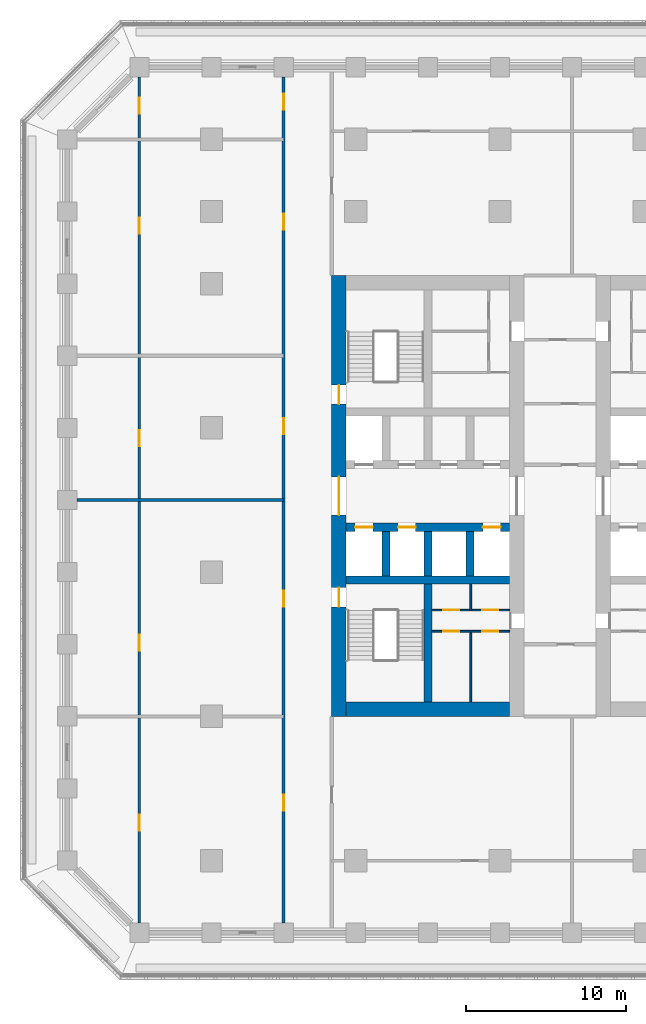
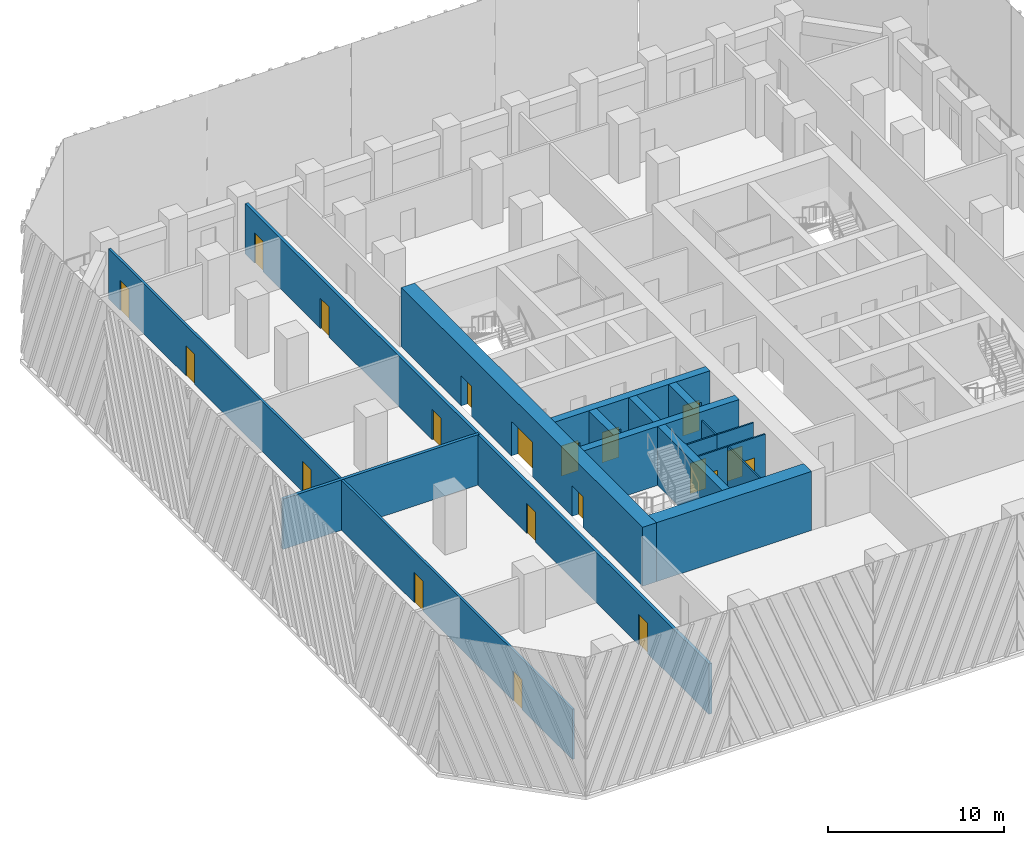
# One storey, part 3 of 17: 20 doors, 17 walls, 20 openings.
"""IFC4 building model written with IfcOpenShell, lengths in metres."""

import ifcopenshell
import ifcopenshell.guid

model = None  # the IFC model being written
_history = None  # IfcOwnerHistory: only IFC2X3 demands one
_inside = {}  # id of a spatial element -> (the spatial element, [elements in it])
_under = {}  # id of a project, library or spatial element -> (it, [spatial elements below it])
_declared = {}  # id of a project -> (the project, [libraries it declares])
_typed = {}  # id of a type object -> (the type object, [elements of that type])
_made_of = {}  # id of a material, layer set ... -> (it, [elements and type objects made of it])


def new_model(schema):
    """Start an empty IFC model of exactly this schema.

    Asked for "IFC4X3", IfcOpenShell would pick the latest addendum, in which some entities
    have other attributes; the version numbers below select the first issue.
    IFC2X3 requires an IfcOwnerHistory on every rooted entity: one is made here for all.
    """
    global model, _history
    if schema == "IFC4X3":
        model = ifcopenshell.file(schema_version=(4, 3, 0, 0))
    else:
        model = ifcopenshell.file(schema=schema)
    _inside.clear()
    _under.clear()
    _declared.clear()
    _typed.clear()
    _made_of.clear()
    _history = None
    if model.schema == "IFC2X3":
        org = make("IfcOrganization", Name="unknown")
        user = make(
            "IfcPersonAndOrganization",
            ThePerson=make("IfcPerson", FamilyName="unknown"),
            TheOrganization=org,
        )
        app = make(
            "IfcApplication",
            ApplicationDeveloper=org,
            Version="unknown",
            ApplicationFullName="unknown",
            ApplicationIdentifier="unknown",
        )
        _history = make(
            "IfcOwnerHistory",
            OwningUser=user,
            OwningApplication=app,
            ChangeAction="ADDED",
            CreationDate=0,
        )
    return model


def make(cls, **values):
    """One entity of the class cls with the attributes given. An attribute that is None is left unset."""
    return model.create_entity(
        cls, **{name: value for name, value in values.items() if value is not None}
    )


def rooted(cls, **values):
    """An entity with a GlobalId (a new one), such as an element, a storey or a relation."""
    return make(cls, GlobalId=ifcopenshell.guid.new(), OwnerHistory=_history, **values)


def si_unit(unit_type, name, prefix=None):
    """IfcSIUnit, for example si_unit("LENGTHUNIT", "METRE", prefix="MILLI")."""
    return make("IfcSIUnit", UnitType=unit_type, Prefix=prefix, Name=name)


def assignment(units):
    """IfcUnitAssignment: the units of a project."""
    return None if units is None else make("IfcUnitAssignment", Units=units)


def point(xyz):
    """IfcCartesianPoint."""
    return None if xyz is None else make("IfcCartesianPoint", Coordinates=xyz)


def direction(xyz):
    """IfcDirection."""
    return None if xyz is None else make("IfcDirection", DirectionRatios=xyz)


def frame(location, z_axis=None, x_axis=None):
    """IfcAxis2Placement3D, a coordinate frame: its origin and axes. An axis left out is left unset."""
    return make(
        "IfcAxis2Placement3D",
        Location=point(location),
        Axis=direction(z_axis),
        RefDirection=direction(x_axis),
    )


def frame_2d(location, x_axis=None):
    """IfcAxis2Placement2D, a coordinate frame in the plane: its origin and x axis."""
    return make(
        "IfcAxis2Placement2D", Location=point(location), RefDirection=direction(x_axis)
    )


def origin():
    """The frame at (0, 0, 0) with its axes left unset."""
    return frame((0.0, 0.0, 0.0))


def place(relative_to, where):
    """IfcLocalPlacement: puts the frame where relative to a parent placement (None: the world)."""
    return make(
        "IfcLocalPlacement", PlacementRelTo=relative_to, RelativePlacement=where
    )


def context(
    kind, dimensions, precision=None, world=None, true_north=None, identifier=None
):
    """IfcGeometricRepresentationContext, for example the 3D "Model" context."""
    return make(
        "IfcGeometricRepresentationContext",
        ContextIdentifier=identifier,
        ContextType=kind,
        CoordinateSpaceDimension=dimensions,
        Precision=precision,
        WorldCoordinateSystem=world,
        TrueNorth=true_north,
    )


def subcontext(parent, identifier, kind, view, scale=None):
    """IfcGeometricRepresentationSubContext, for example "Body" below "Model"."""
    return make(
        "IfcGeometricRepresentationSubContext",
        ContextIdentifier=identifier,
        ContextType=kind,
        ParentContext=parent,
        TargetScale=scale,
        TargetView=view,
    )


def project(units=None, contexts=None):
    """IfcProject with its units and contexts."""
    return rooted(
        "IfcProject",
        Name="project",
        RepresentationContexts=contexts,
        UnitsInContext=assignment(units),
    )


def spatial(cls, under=None, at=None, **own):
    """A site, building, storey or space (cls), placed at a placement, below another one or the project."""
    s = rooted(cls, ObjectPlacement=at, **own)
    if under is not None:
        _under.setdefault(under.id(), (under, []))[1].append(s)
    return s


def profile(cls, at=None, kind="AREA", **sizes):
    """A parametric profile (cls). Its sizes go by their IFC names, for example OverallWidth=200.0."""
    return make(cls, ProfileType=kind, Position=at, **sizes)


def rectangle(**sizes):
    """IfcRectangleProfileDef."""
    return profile("IfcRectangleProfileDef", **sizes)


def extrude(swept, where, along, depth):
    """IfcExtrudedAreaSolid: the profile swept, set in the frame where, extruded along a direction by depth."""
    return make(
        "IfcExtrudedAreaSolid",
        SweptArea=swept,
        Position=where,
        ExtrudedDirection=direction(along),
        Depth=depth,
    )


def shape(context_of_items, identifier, shape_type, items):
    """IfcShapeRepresentation: the items that make up one representation, for example the "Body"."""
    return make(
        "IfcShapeRepresentation",
        ContextOfItems=context_of_items,
        RepresentationIdentifier=identifier,
        RepresentationType=shape_type,
        Items=items,
    )


def material(Name=None, Category=None):
    """IfcMaterial."""
    return make("IfcMaterial", Name=Name, Category=Category)


def layer(
    of_material, thickness, ventilated=None, Name=None, Category=None, Priority=None
):
    """IfcMaterialLayer: one layer of a wall or slab, of a material (None: an air gap)."""
    return make(
        "IfcMaterialLayer",
        Material=of_material,
        LayerThickness=thickness,
        IsVentilated=ventilated,
        Name=Name,
        Category=Category,
        Priority=Priority,
    )


def layer_set(layers, Name=None):
    """IfcMaterialLayerSet."""
    return make("IfcMaterialLayerSet", MaterialLayers=layers, LayerSetName=Name)


def made_of(thing, what):
    """Note that an element or type object is made of a material, layer set ...; save() writes the relation."""
    if what is not None:
        _made_of.setdefault(what.id(), (what, []))[1].append(thing)
    return thing


def type_object(cls, material=None, **own):
    """A type object (cls), such as IfcWallType, which elements share."""
    return made_of(rooted(cls, **own), material)


def element(
    cls,
    number,
    at=None,
    inside=None,
    cuts=None,
    type_object=None,
    material=None,
    context=None,
    identifier="Body",
    shape_type=None,
    held_by="IfcProductDefinitionShape",
    body=None,
    shapes=None,
    **own,
):
    """One element of the class cls, such as IfcWall. Its Tag is "e" and its number.

    at: its placement. inside: the storey or other place that contains it. cuts: it is an
    opening in that element (IfcRelVoidsElement). A single representation is given by context,
    identifier, shape_type and body (its items); several are given by shapes. held_by: the class
    of the entity that holds the representations. save() writes the other relations.
    """
    e = rooted(cls, Tag="e%d" % number, ObjectPlacement=at, **own)
    if body is not None:
        shapes = [shape(context, identifier, shape_type, body)]
    if shapes is not None:
        e.Representation = make(held_by, Representations=shapes)
    if inside is not None:
        _inside.setdefault(inside.id(), (inside, []))[1].append(e)
    if cuts is not None:
        rooted(
            "IfcRelVoidsElement", RelatingBuildingElement=cuts, RelatedOpeningElement=e
        )
    if type_object is not None:
        _typed.setdefault(type_object.id(), (type_object, []))[1].append(e)
    return made_of(e, material)


def fill(opening, filler):
    """IfcRelFillsElement: the door or window that sits in an opening."""
    return rooted(
        "IfcRelFillsElement",
        RelatingOpeningElement=opening,
        RelatedBuildingElement=filler,
    )


def aggregate(whole, parts):
    """IfcRelAggregates: a whole, such as a stair, and the parts it consists of."""
    return rooted("IfcRelAggregates", RelatingObject=whole, RelatedObjects=parts)


def save(model, path):
    """Write the relations noted so far, then the file.

    IfcRelAggregates (storeys below a building ...), IfcRelContainedInSpatialStructure (elements
    in a storey), IfcRelDefinesByType, IfcRelAssociatesMaterial and IfcRelDeclares: one each for
    every whole, place, type object, material and project.
    """
    for whole, parts in _under.values():
        aggregate(whole, parts)
    for where, things in _inside.values():
        rooted(
            "IfcRelContainedInSpatialStructure",
            RelatedElements=things,
            RelatingStructure=where,
        )
    for kind, things in _typed.values():
        rooted("IfcRelDefinesByType", RelatedObjects=things, RelatingType=kind)
    for what, things in _made_of.values():
        rooted("IfcRelAssociatesMaterial", RelatedObjects=things, RelatingMaterial=what)
    for by, libraries in _declared.values():
        rooted("IfcRelDeclares", RelatingContext=by, RelatedDefinitions=libraries)
    model.write(path)


model = new_model("IFC4")

# Units and contexts
model_context = context("Model", 3, precision=1e-05, world=origin(), true_north=direction((0.0, 1.0)))
body_context = subcontext(model_context, "Body", "Model", "MODEL_VIEW")
ifc_project = project(units=[si_unit("LENGTHUNIT", "METRE"), si_unit("AREAUNIT", "SQUARE_METRE"), si_unit("VOLUMEUNIT", "CUBIC_METRE"), si_unit("PLANEANGLEUNIT", "RADIAN"), si_unit("MASSUNIT", "GRAM", prefix="KILO")], contexts=[model_context])

# Site, building, storey
site_placement = place(None, origin())
site = spatial("IfcSite", under=ifc_project, at=site_placement, CompositionType="ELEMENT")
building_placement = place(site_placement, origin())
building = spatial("IfcBuilding", under=site, at=building_placement, Name="Corbel Stack Research Tower", CompositionType="ELEMENT")
storey_placement = place(building_placement, frame((0.0, 0.0, 141.300048828125)))
storey = spatial("IfcBuildingStorey", under=building, at=storey_placement, Name="L32", CompositionType="ELEMENT", Elevation=141.300048828125)

# Wall
ifc_material_1 = material(Name="Concrete C70/85", Category="concrete")
ifc_layer_1 = layer(ifc_material_1, 0.5)
ifc_layer_set_1 = layer_set([ifc_layer_1], Name="Concrete C70/85")
wall_type_1 = type_object("IfcWallType", Name="CW-500-70", PredefinedType="SHEAR", material=ifc_layer_set_1)
wall_1_placement = place(storey_placement, frame((-9.60009765625, -0.5, 0.0), z_axis=(0.0, 0.0, 1.0), x_axis=(1.0, 0.0, 0.0)))
element("IfcWall", 1, at=wall_1_placement, inside=storey, type_object=wall_type_1, Name="West core wall, south row back L32", PredefinedType="SHEAR", context=body_context, shape_type="SweptSolid", body=[
    extrude(rectangle(XDim=10.2001953125, YDim=0.5, at=frame_2d((5.10009765625, 0.0))), origin(), (0.0, 0.0, 1.0), 4.099853515625),
])

# Wall, openings, doors
wall_2_placement = place(storey_placement, frame((-9.60009765625, 2.800048828125, 0.0), z_axis=(0.0, 0.0, 1.0), x_axis=(1.0, 0.0, 0.0)))
wall_2 = element("IfcWall", 2, at=wall_2_placement, inside=storey, type_object=wall_type_1, Name="West core wall, lobby south L32", PredefinedType="SHEAR", context=body_context, shape_type="SweptSolid", body=[
    extrude(rectangle(XDim=10.2001953125, YDim=0.5, at=frame_2d((5.10009765625, 0.0))), origin(), (0.0, 0.0, 1.0), 4.099853515625),
])
opening_1_placement = place(wall_2_placement, frame((0.5625, 0.0, 0.0)))
opening_1 = element("IfcOpeningElement", 3, at=opening_1_placement, cuts=wall_2, Name="Opening LD-FS1", PredefinedType="OPENING", context=body_context, shape_type="SweptSolid", body=[
    extrude(rectangle(XDim=1.10009765625, YDim=2.10009765625, at=frame_2d((0.550048828125, 1.050048828125))), frame((0.0, 0.260009765625, 0.0), z_axis=(0.0, -1.0, 0.0), x_axis=(1.0, 0.0, 0.0)), (0.0, 0.0, 1.0), 0.52001953125),
])
opening_2_placement = place(wall_2_placement, frame((3.237548828125, 0.0, 0.0)))
opening_2 = element("IfcOpeningElement", 4, at=opening_2_placement, cuts=wall_2, Name="Opening LD-GL1", PredefinedType="OPENING", context=body_context, shape_type="SweptSolid", body=[
    extrude(rectangle(XDim=1.10009765625, YDim=2.10009765625, at=frame_2d((0.550048828125, 1.050048828125))), frame((0.0, 0.260009765625, 0.0), z_axis=(0.0, -1.0, 0.0), x_axis=(1.0, 0.0, 0.0)), (0.0, 0.0, 1.0), 0.52001953125),
])
opening_3_placement = place(wall_2_placement, frame((8.53759765625, 0.0, 0.0)))
opening_3 = element("IfcOpeningElement", 5, at=opening_3_placement, cuts=wall_2, Name="Opening LD-LR1", PredefinedType="OPENING", context=body_context, shape_type="SweptSolid", body=[
    extrude(rectangle(XDim=1.10009765625, YDim=2.10009765625, at=frame_2d((0.550048828125, 1.050048828125))), frame((0.0, 0.260009765625, 0.0), z_axis=(0.0, -1.0, 0.0), x_axis=(1.0, 0.0, 0.0)), (0.0, 0.0, 1.0), 0.52001953125),
])
ifc_material_2 = material(Name="Stainless steel landing door", Category="steel")
door_type_1 = type_object("IfcDoorType", Name="Lift landing door 1100 x 2100", OperationType="DOUBLE_DOOR_SLIDING", PredefinedType="DOOR", material=ifc_material_2)
door_1_placement = place(opening_1_placement, origin())
door_1 = element("IfcDoor", 6, at=door_1_placement, inside=storey, type_object=door_type_1, Name="Landing door FS1", OperationType="DOUBLE_DOOR_SLIDING", OverallHeight=2.10009765625, OverallWidth=1.10009765625, PredefinedType="DOOR", context=body_context, shape_type="SweptSolid", body=[
    extrude(rectangle(XDim=1.10009765625, YDim=2.10009765625, at=frame_2d((0.550048828125, 1.050048828125))), frame((0.0, 0.02490234375, 0.0), z_axis=(0.0, -1.0, 0.0), x_axis=(1.0, 0.0, 0.0)), (0.0, 0.0, 1.0), 0.050048828125),
])
fill(opening_1, door_1)
door_2_placement = place(opening_2_placement, origin())
door_2 = element("IfcDoor", 7, at=door_2_placement, inside=storey, type_object=door_type_1, Name="Landing door GL1", OperationType="DOUBLE_DOOR_SLIDING", OverallHeight=2.10009765625, OverallWidth=1.10009765625, PredefinedType="DOOR", context=body_context, shape_type="SweptSolid", body=[
    extrude(rectangle(XDim=1.10009765625, YDim=2.10009765625, at=frame_2d((0.550048828125, 1.050048828125))), frame((0.0, 0.02490234375, 0.0), z_axis=(0.0, -1.0, 0.0), x_axis=(1.0, 0.0, 0.0)), (0.0, 0.0, 1.0), 0.050048828125),
])
fill(opening_2, door_2)
door_3_placement = place(opening_3_placement, origin())
door_3 = element("IfcDoor", 8, at=door_3_placement, inside=storey, type_object=door_type_1, Name="Landing door LR1", OperationType="DOUBLE_DOOR_SLIDING", OverallHeight=2.10009765625, OverallWidth=1.10009765625, PredefinedType="DOOR", context=body_context, shape_type="SweptSolid", body=[
    extrude(rectangle(XDim=1.10009765625, YDim=2.10009765625, at=frame_2d((0.550048828125, 1.050048828125))), frame((0.0, 0.02490234375, 0.0), z_axis=(0.0, -1.0, 0.0), x_axis=(1.0, 0.0, 0.0)), (0.0, 0.0, 1.0), 0.050048828125),
])
fill(opening_3, door_3)

# Walls
for number, where, z_axis, x_axis, name in (
    (9, (-7.125, -0.25, 0.0), (0.0, 0.0, 1.0), (0.0, 1.0, 0.0), "West core wall, south shaft 1 L32"),
    (10, (-4.5, -0.25, 0.0), (0.0, 0.0, 1.0), (0.0, 1.0, 0.0), "West core wall, south shaft 2 L32"),
    (11, (-1.875, -0.25, 0.0), (0.0, 0.0, 1.0), (0.0, 1.0, 0.0), "West core wall, south shaft 3 L32"),
):
    element("IfcWall", number, at=place(storey_placement, frame(where, z_axis=z_axis, x_axis=x_axis)), inside=storey, type_object=wall_type_1, Name=name, PredefinedType="SHEAR", context=body_context, shape_type="SweptSolid", body=[
        extrude(rectangle(XDim=2.800048828125, YDim=0.5, at=frame_2d((1.39990234375, 0.0))), origin(), (0.0, 0.0, 1.0), 4.099853515625),
    ])
wall_3_placement = place(storey_placement, frame((-4.5, -8.10009765625, 0.0), z_axis=(0.0, 0.0, 1.0), x_axis=(0.0, 1.0, 0.0)))
element("IfcWall", 12, at=wall_3_placement, inside=storey, type_object=wall_type_1, Name="West core wall, south stair and WC L32", PredefinedType="SHEAR", context=body_context, shape_type="SweptSolid", body=[
    extrude(rectangle(XDim=7.35009765625, YDim=0.5, at=frame_2d((3.675048828125, 0.0))), origin(), (0.0, 0.0, 1.0), 4.099853515625),
])

# Wall, openings, doors
ifc_material_3 = material(Name="Concrete C70/85", Category="concrete")
ifc_layer_2 = layer(ifc_material_3, 0.89990234375)
ifc_layer_set_2 = layer_set([ifc_layer_2], Name="Concrete C70/85")
wall_type_2 = type_object("IfcWallType", Name="CW-900-70", PredefinedType="SHEAR", material=ifc_layer_set_2)
wall_4_placement = place(storey_placement, frame((-10.050048828125, -9.0, 0.0), z_axis=(0.0, 0.0, 1.0), x_axis=(0.0, 1.0, 0.0)))
wall_4 = element("IfcWall", 13, at=wall_4_placement, inside=storey, type_object=wall_type_2, Name="West core wall, west face L32", PredefinedType="SHEAR", context=body_context, shape_type="SweptSolid", body=[
    extrude(rectangle(XDim=27.5, YDim=0.89990234375, at=frame_2d((13.75, 0.0))), origin(), (0.0, 0.0, 1.0), 4.099853515625),
])
opening_4_placement = place(wall_4_placement, frame((12.550048828125, 0.0, 0.0)))
opening_4 = element("IfcOpeningElement", 14, at=opening_4_placement, cuts=wall_4, Name="Opening CD-W-W", PredefinedType="OPENING", context=body_context, shape_type="SweptSolid", body=[
    extrude(rectangle(XDim=2.39990234375, YDim=2.39990234375, at=frame_2d((1.199951171875, 1.199951171875))), frame((0.0, 0.4599609375, 0.0), z_axis=(0.0, -1.0, 0.0), x_axis=(1.0, 0.0, 0.0)), (0.0, 0.0, 1.0), 0.919921875),
])
opening_5_placement = place(wall_4_placement, frame((6.824951171875, 0.0, 0.0)))
opening_5 = element("IfcOpeningElement", 15, at=opening_5_placement, cuts=wall_4, Name="Opening SD-ST-W1", PredefinedType="OPENING", context=body_context, shape_type="SweptSolid", body=[
    extrude(rectangle(XDim=1.199951171875, YDim=2.10009765625, at=frame_2d((0.60009765625, 1.050048828125))), frame((0.0, 0.4599609375, 0.0), z_axis=(0.0, -1.0, 0.0), x_axis=(1.0, 0.0, 0.0)), (0.0, 0.0, 1.0), 0.919921875),
])
opening_6_placement = place(wall_4_placement, frame((19.47509765625, 0.0, 0.0)))
opening_6 = element("IfcOpeningElement", 16, at=opening_6_placement, cuts=wall_4, Name="Opening SD-ST-W2", PredefinedType="OPENING", context=body_context, shape_type="SweptSolid", body=[
    extrude(rectangle(XDim=1.199951171875, YDim=2.10009765625, at=frame_2d((0.60009765625, 1.050048828125))), frame((0.0, 0.4599609375, 0.0), z_axis=(0.0, -1.0, 0.0), x_axis=(1.0, 0.0, 0.0)), (0.0, 0.0, 1.0), 0.919921875),
])
ifc_material_4 = material(Name="Painted steel fire door", Category="steel")
door_type_2 = type_object("IfcDoorType", Name="Lobby door pair 2400 x 2400 FD30S", OperationType="DOUBLE_DOOR_DOUBLE_SWING", PredefinedType="DOOR", material=ifc_material_4)
door_4_placement = place(opening_4_placement, origin())
door_4 = element("IfcDoor", 17, at=door_4_placement, inside=storey, type_object=door_type_2, Name="Lift lobby door W core W", OperationType="DOUBLE_DOOR_DOUBLE_SWING", OverallHeight=2.39990234375, OverallWidth=2.39990234375, PredefinedType="DOOR", context=body_context, shape_type="SweptSolid", body=[
    extrude(rectangle(XDim=2.39990234375, YDim=2.39990234375, at=frame_2d((1.199951171875, 1.199951171875))), frame((0.0, 0.02490234375, 0.0), z_axis=(0.0, -1.0, 0.0), x_axis=(1.0, 0.0, 0.0)), (0.0, 0.0, 1.0), 0.050048828125),
])
fill(opening_4, door_4)
ifc_material_5 = material(Name="Painted steel fire door", Category="steel")
door_type_3 = type_object("IfcDoorType", Name="Stair door 1200 x 2100 FD90 left hand", OperationType="SINGLE_SWING_LEFT", PredefinedType="DOOR", material=ifc_material_5)
door_5_placement = place(opening_5_placement, origin())
door_5 = element("IfcDoor", 18, at=door_5_placement, inside=storey, type_object=door_type_3, Name="Stair door ST-W1", OperationType="SINGLE_SWING_LEFT", OverallHeight=2.10009765625, OverallWidth=1.199951171875, PredefinedType="DOOR", context=body_context, shape_type="SweptSolid", body=[
    extrude(rectangle(XDim=1.199951171875, YDim=2.10009765625, at=frame_2d((0.60009765625, 1.050048828125))), frame((0.0, 0.02490234375, 0.0), z_axis=(0.0, -1.0, 0.0), x_axis=(1.0, 0.0, 0.0)), (0.0, 0.0, 1.0), 0.050048828125),
])
fill(opening_5, door_5)
door_6_placement = place(opening_6_placement, origin())
door_6 = element("IfcDoor", 19, at=door_6_placement, inside=storey, type_object=door_type_3, Name="Stair door ST-W2", OperationType="SINGLE_SWING_LEFT", OverallHeight=2.10009765625, OverallWidth=1.199951171875, PredefinedType="DOOR", context=body_context, shape_type="SweptSolid", body=[
    extrude(rectangle(XDim=1.199951171875, YDim=2.10009765625, at=frame_2d((0.60009765625, 1.050048828125))), frame((0.0, 0.02490234375, 0.0), z_axis=(0.0, -1.0, 0.0), x_axis=(1.0, 0.0, 0.0)), (0.0, 0.0, 1.0), 0.050048828125),
])
fill(opening_6, door_6)

# Wall
wall_5_placement = place(storey_placement, frame((-9.60009765625, -8.550048828125, 0.0), z_axis=(0.0, 0.0, 1.0), x_axis=(1.0, 0.0, 0.0)))
element("IfcWall", 20, at=wall_5_placement, inside=storey, type_object=wall_type_2, Name="West core wall, south end L32", PredefinedType="SHEAR", context=body_context, shape_type="SweptSolid", body=[
    extrude(rectangle(XDim=10.2001953125, YDim=0.89990234375, at=frame_2d((5.10009765625, 0.0))), origin(), (0.0, 0.0, 1.0), 4.099853515625),
])

# Wall, opening, door
ifc_material_6 = material(Name="Gypsum board")
ifc_layer_3 = layer(ifc_material_6, 0.10009765625)
ifc_layer_set_3 = layer_set([ifc_layer_3], Name="Gypsum board")
wall_type_3 = type_object("IfcWallType", Name="Core partition 100", PredefinedType="PARTITIONING", material=ifc_layer_set_3)
wall_6_placement = place(storey_placement, frame((-1.824951171875, -3.68994140625, 0.0), z_axis=(0.0, 0.0, 1.0), x_axis=(1.0, 0.0, 0.0)))
wall_6 = element("IfcWall", 21, at=wall_6_placement, inside=storey, type_object=wall_type_3, Name="Core partition W", PredefinedType="PARTITIONING", context=body_context, shape_type="SweptSolid", body=[
    extrude(rectangle(XDim=2.425048828125, YDim=0.10009765625, at=frame_2d((1.21240234375, 0.0))), origin(), (0.0, 0.0, 1.0), 3.5),
])
opening_7_placement = place(wall_6_placement, frame((0.71240234375, 0.0, 0.0)))
opening_7 = element("IfcOpeningElement", 22, at=opening_7_placement, cuts=wall_6, Name="Opening CR-W54-W2-1000", PredefinedType="OPENING", context=body_context, shape_type="SweptSolid", body=[
    extrude(rectangle(XDim=1.0, YDim=2.10009765625, at=frame_2d((0.5, 1.050048828125))), frame((0.0, 0.06005859375, 0.0), z_axis=(0.0, -1.0, 0.0), x_axis=(1.0, 0.0, 0.0)), (0.0, 0.0, 1.0), 0.1201171875),
])
ifc_material_7 = material(Name="Painted timber door", Category="wood")
door_type_4 = type_object("IfcDoorType", Name="WC door 1000 x 2100 right hand", OperationType="SINGLE_SWING_RIGHT", PredefinedType="DOOR", material=ifc_material_7)
door_7_placement = place(opening_7_placement, origin())
door_7 = element("IfcDoor", 23, at=door_7_placement, inside=storey, type_object=door_type_4, Name="Women's WC door W core", OperationType="SINGLE_SWING_RIGHT", OverallHeight=2.10009765625, OverallWidth=1.0, PredefinedType="DOOR", context=body_context, shape_type="SweptSolid", body=[
    extrude(rectangle(XDim=1.0, YDim=2.10009765625, at=frame_2d((0.5, 1.050048828125))), frame((0.0, 0.02490234375, 0.0), z_axis=(0.0, -1.0, 0.0), x_axis=(1.0, 0.0, 0.0)), (0.0, 0.0, 1.0), 0.050048828125),
])
fill(opening_7, door_7)

wall_7_placement = place(storey_placement, frame((-4.25, -3.68994140625, 0.0), z_axis=(0.0, 0.0, 1.0), x_axis=(1.0, 0.0, 0.0)))
wall_7 = element("IfcWall", 24, at=wall_7_placement, inside=storey, type_object=wall_type_3, Name="Core partition W", PredefinedType="PARTITIONING", context=body_context, shape_type="SweptSolid", body=[
    extrude(rectangle(XDim=2.425048828125, YDim=0.10009765625, at=frame_2d((1.21240234375, 0.0))), origin(), (0.0, 0.0, 1.0), 3.5),
])
opening_8_placement = place(wall_7_placement, frame((0.71240234375, 0.0, 0.0)))
opening_8 = element("IfcOpeningElement", 25, at=opening_8_placement, cuts=wall_7, Name="Opening CR-W54-W3-1000", PredefinedType="OPENING", context=body_context, shape_type="SweptSolid", body=[
    extrude(rectangle(XDim=1.0, YDim=2.10009765625, at=frame_2d((0.5, 1.050048828125))), frame((0.0, 0.06005859375, 0.0), z_axis=(0.0, -1.0, 0.0), x_axis=(1.0, 0.0, 0.0)), (0.0, 0.0, 1.0), 0.1201171875),
])
ifc_material_8 = material(Name="Painted timber door", Category="wood")
door_type_5 = type_object("IfcDoorType", Name="WC door 1000 x 2100 left hand", OperationType="SINGLE_SWING_LEFT", PredefinedType="DOOR", material=ifc_material_8)
door_8_placement = place(opening_8_placement, origin())
door_8 = element("IfcDoor", 26, at=door_8_placement, inside=storey, type_object=door_type_5, Name="Men's WC door W core", OperationType="SINGLE_SWING_LEFT", OverallHeight=2.10009765625, OverallWidth=1.0, PredefinedType="DOOR", context=body_context, shape_type="SweptSolid", body=[
    extrude(rectangle(XDim=1.0, YDim=2.10009765625, at=frame_2d((0.5, 1.050048828125))), frame((0.0, 0.02490234375, 0.0), z_axis=(0.0, -1.0, 0.0), x_axis=(1.0, 0.0, 0.0)), (0.0, 0.0, 1.0), 0.050048828125),
])
fill(opening_8, door_8)

wall_8_placement = place(storey_placement, frame((-1.824951171875, -2.366943359375, 0.0), z_axis=(0.0, 0.0, 1.0), x_axis=(1.0, 0.0, 0.0)))
wall_8 = element("IfcWall", 27, at=wall_8_placement, inside=storey, type_object=wall_type_3, Name="Core partition W", PredefinedType="PARTITIONING", context=body_context, shape_type="SweptSolid", body=[
    extrude(rectangle(XDim=2.425048828125, YDim=0.10009765625, at=frame_2d((1.21240234375, 0.0))), origin(), (0.0, 0.0, 1.0), 3.5),
])
opening_9_placement = place(wall_8_placement, frame((0.71240234375, 0.0, 0.0)))
opening_9 = element("IfcOpeningElement", 28, at=opening_9_placement, cuts=wall_8, Name="Opening CR-W54-W4-1000", PredefinedType="OPENING", context=body_context, shape_type="SweptSolid", body=[
    extrude(rectangle(XDim=1.0, YDim=2.10009765625, at=frame_2d((0.5, 1.050048828125))), frame((0.0, 0.06005859375, 0.0), z_axis=(0.0, -1.0, 0.0), x_axis=(1.0, 0.0, 0.0)), (0.0, 0.0, 1.0), 0.1201171875),
])
door_9_placement = place(opening_9_placement, origin())
door_9 = element("IfcDoor", 29, at=door_9_placement, inside=storey, type_object=door_type_4, Name="Accessible WC door W core", OperationType="SINGLE_SWING_RIGHT", OverallHeight=2.10009765625, OverallWidth=1.0, PredefinedType="DOOR", context=body_context, shape_type="SweptSolid", body=[
    extrude(rectangle(XDim=1.0, YDim=2.10009765625, at=frame_2d((0.5, 1.050048828125))), frame((0.0, 0.02490234375, 0.0), z_axis=(0.0, -1.0, 0.0), x_axis=(1.0, 0.0, 0.0)), (0.0, 0.0, 1.0), 0.050048828125),
])
fill(opening_9, door_9)

wall_9_placement = place(storey_placement, frame((-4.25, -2.366943359375, 0.0), z_axis=(0.0, 0.0, 1.0), x_axis=(1.0, 0.0, 0.0)))
wall_9 = element("IfcWall", 30, at=wall_9_placement, inside=storey, type_object=wall_type_3, Name="Core partition W", PredefinedType="PARTITIONING", context=body_context, shape_type="SweptSolid", body=[
    extrude(rectangle(XDim=2.425048828125, YDim=0.10009765625, at=frame_2d((1.21240234375, 0.0))), origin(), (0.0, 0.0, 1.0), 3.5),
])
opening_10_placement = place(wall_9_placement, frame((0.71240234375, 0.0, 0.0)))
opening_10 = element("IfcOpeningElement", 31, at=opening_10_placement, cuts=wall_9, Name="Opening CR-W54-W5-1000", PredefinedType="OPENING", context=body_context, shape_type="SweptSolid", body=[
    extrude(rectangle(XDim=1.0, YDim=2.10009765625, at=frame_2d((0.5, 1.050048828125))), frame((0.0, 0.06005859375, 0.0), z_axis=(0.0, -1.0, 0.0), x_axis=(1.0, 0.0, 0.0)), (0.0, 0.0, 1.0), 0.1201171875),
])
door_10_placement = place(opening_10_placement, origin())
door_10 = element("IfcDoor", 32, at=door_10_placement, inside=storey, type_object=door_type_5, Name="Shower and changing room door W core", OperationType="SINGLE_SWING_LEFT", OverallHeight=2.10009765625, OverallWidth=1.0, PredefinedType="DOOR", context=body_context, shape_type="SweptSolid", body=[
    extrude(rectangle(XDim=1.0, YDim=2.10009765625, at=frame_2d((0.5, 1.050048828125))), frame((0.0, 0.02490234375, 0.0), z_axis=(0.0, -1.0, 0.0), x_axis=(1.0, 0.0, 0.0)), (0.0, 0.0, 1.0), 0.050048828125),
])
fill(opening_10, door_10)

# Walls
wall_10_placement = place(storey_placement, frame((-1.824951171875, -8.10009765625, 0.0), z_axis=(0.0, 0.0, 1.0), x_axis=(0.0, 1.0, 0.0)))
element("IfcWall", 33, at=wall_10_placement, inside=storey, type_object=wall_type_3, Name="Core partition W", PredefinedType="PARTITIONING", context=body_context, shape_type="SweptSolid", body=[
    extrude(rectangle(XDim=4.41015625, YDim=0.10009765625, at=frame_2d((2.205078125, 0.0))), origin(), (0.0, 0.0, 1.0), 3.5),
])
wall_11_placement = place(storey_placement, frame((-1.824951171875, -2.366943359375, 0.0), z_axis=(0.0, 0.0, 1.0), x_axis=(0.0, 1.0, 0.0)))
element("IfcWall", 34, at=wall_11_placement, inside=storey, type_object=wall_type_3, Name="Core partition W", PredefinedType="PARTITIONING", context=body_context, shape_type="SweptSolid", body=[
    extrude(rectangle(XDim=1.616943359375, YDim=0.10009765625, at=frame_2d((0.80859375, 0.0))), origin(), (0.0, 0.0, 1.0), 3.5),
])

# Wall, openings, doors
ifc_material_9 = material(Name="Fire-rated gypsum board partition on steel studs", Category="steel")
ifc_layer_4 = layer(ifc_material_9, 0.199951171875)
ifc_layer_set_4 = layer_set([ifc_layer_4], Name="Fire-rated gypsum board partition on steel studs")
wall_type_4 = type_object("IfcWallType", Name="Fire-rated partition 200 EI 60", PredefinedType="PARTITIONING", material=ifc_layer_set_4)
wall_12_placement = place(storey_placement, frame((-13.5, -21.89990234375, 0.0), z_axis=(0.0, 0.0, 1.0), x_axis=(0.0, 1.0, 0.0)))
wall_12 = element("IfcWall", 35, at=wall_12_placement, inside=storey, type_object=wall_type_4, Name="Partition L32-002", PredefinedType="PARTITIONING", context=body_context, shape_type="SweptSolid", body=[
    extrude(rectangle(XDim=52.7998046875, YDim=0.199951171875, at=frame_2d((26.39990234375, 0.0))), origin(), (0.0, 0.0, 1.0), 3.5),
])
opening_11_placement = place(wall_12_placement, frame((7.0, 0.0, 0.0)))
opening_11 = element("IfcOpeningElement", 36, at=opening_11_placement, cuts=wall_12, Name="Opening B4V2-008", PredefinedType="OPENING", context=body_context, shape_type="SweptSolid", body=[
    extrude(rectangle(XDim=1.0, YDim=2.10009765625, at=frame_2d((0.5, 1.050048828125))), frame((0.0, 0.10986328125, 0.0), z_axis=(0.0, -1.0, 0.0), x_axis=(1.0, 0.0, 0.0)), (0.0, 0.0, 1.0), 0.219970703125),
])
opening_12_placement = place(wall_12_placement, frame((19.75, 0.0, 0.0)))
opening_12 = element("IfcOpeningElement", 37, at=opening_12_placement, cuts=wall_12, Name="Opening B4V2-009", PredefinedType="OPENING", context=body_context, shape_type="SweptSolid", body=[
    extrude(rectangle(XDim=1.0, YDim=2.10009765625, at=frame_2d((0.5, 1.050048828125))), frame((0.0, 0.10986328125, 0.0), z_axis=(0.0, -1.0, 0.0), x_axis=(1.0, 0.0, 0.0)), (0.0, 0.0, 1.0), 0.219970703125),
])
opening_13_placement = place(wall_12_placement, frame((30.5, 0.0, 0.0)))
opening_13 = element("IfcOpeningElement", 38, at=opening_13_placement, cuts=wall_12, Name="Opening B4V2-010", PredefinedType="OPENING", context=body_context, shape_type="SweptSolid", body=[
    extrude(rectangle(XDim=1.0, YDim=2.10009765625, at=frame_2d((0.5, 1.050048828125))), frame((0.0, 0.10986328125, 0.0), z_axis=(0.0, -1.0, 0.0), x_axis=(1.0, 0.0, 0.0)), (0.0, 0.0, 1.0), 0.219970703125),
])
opening_14_placement = place(wall_12_placement, frame((43.25, 0.0, 0.0)))
opening_14 = element("IfcOpeningElement", 39, at=opening_14_placement, cuts=wall_12, Name="Opening B4V2-011", PredefinedType="OPENING", context=body_context, shape_type="SweptSolid", body=[
    extrude(rectangle(XDim=1.0, YDim=2.10009765625, at=frame_2d((0.5, 1.050048828125))), frame((0.0, 0.10986328125, 0.0), z_axis=(0.0, -1.0, 0.0), x_axis=(1.0, 0.0, 0.0)), (0.0, 0.0, 1.0), 0.219970703125),
])
opening_15_placement = place(wall_12_placement, frame((50.75, 0.0, 0.0)))
opening_15 = element("IfcOpeningElement", 40, at=opening_15_placement, cuts=wall_12, Name="Opening B4V2-012", PredefinedType="OPENING", context=body_context, shape_type="SweptSolid", body=[
    extrude(rectangle(XDim=1.0, YDim=2.10009765625, at=frame_2d((0.5, 1.050048828125))), frame((0.0, 0.10986328125, 0.0), z_axis=(0.0, -1.0, 0.0), x_axis=(1.0, 0.0, 0.0)), (0.0, 0.0, 1.0), 0.219970703125),
])
ifc_material_10 = material(Name="Painted steel fire door", Category="steel")
door_type_6 = type_object("IfcDoorType", Name="Fire door FD30S 1000 x 2100", OperationType="NOTDEFINED", PredefinedType="DOOR", material=ifc_material_10)
door_11_placement = place(opening_11_placement, origin())
door_11 = element("IfcDoor", 41, at=door_11_placement, inside=storey, type_object=door_type_6, Name="Door B4V2-008", OperationType="SINGLE_SWING_LEFT", OverallHeight=2.10009765625, OverallWidth=1.0, PredefinedType="DOOR", context=body_context, shape_type="SweptSolid", body=[
    extrude(rectangle(XDim=1.0, YDim=2.10009765625, at=frame_2d((0.5, 1.050048828125))), frame((0.0, 0.02490234375, 0.0), z_axis=(0.0, -1.0, 0.0), x_axis=(1.0, 0.0, 0.0)), (0.0, 0.0, 1.0), 0.050048828125),
])
fill(opening_11, door_11)
door_12_placement = place(opening_12_placement, origin())
door_12 = element("IfcDoor", 42, at=door_12_placement, inside=storey, type_object=door_type_6, Name="Door B4V2-009", OperationType="SINGLE_SWING_LEFT", OverallHeight=2.10009765625, OverallWidth=1.0, PredefinedType="DOOR", context=body_context, shape_type="SweptSolid", body=[
    extrude(rectangle(XDim=1.0, YDim=2.10009765625, at=frame_2d((0.5, 1.050048828125))), frame((0.0, 0.02490234375, 0.0), z_axis=(0.0, -1.0, 0.0), x_axis=(1.0, 0.0, 0.0)), (0.0, 0.0, 1.0), 0.050048828125),
])
fill(opening_12, door_12)
door_13_placement = place(opening_13_placement, origin())
door_13 = element("IfcDoor", 43, at=door_13_placement, inside=storey, type_object=door_type_6, Name="Door B4V2-010", OperationType="SINGLE_SWING_RIGHT", OverallHeight=2.10009765625, OverallWidth=1.0, PredefinedType="DOOR", context=body_context, shape_type="SweptSolid", body=[
    extrude(rectangle(XDim=1.0, YDim=2.10009765625, at=frame_2d((0.5, 1.050048828125))), frame((0.0, 0.02490234375, 0.0), z_axis=(0.0, -1.0, 0.0), x_axis=(1.0, 0.0, 0.0)), (0.0, 0.0, 1.0), 0.050048828125),
])
fill(opening_13, door_13)
door_14_placement = place(opening_14_placement, origin())
door_14 = element("IfcDoor", 44, at=door_14_placement, inside=storey, type_object=door_type_6, Name="Door B4V2-011", OperationType="SINGLE_SWING_RIGHT", OverallHeight=2.10009765625, OverallWidth=1.0, PredefinedType="DOOR", context=body_context, shape_type="SweptSolid", body=[
    extrude(rectangle(XDim=1.0, YDim=2.10009765625, at=frame_2d((0.5, 1.050048828125))), frame((0.0, 0.02490234375, 0.0), z_axis=(0.0, -1.0, 0.0), x_axis=(1.0, 0.0, 0.0)), (0.0, 0.0, 1.0), 0.050048828125),
])
fill(opening_14, door_14)
door_15_placement = place(opening_15_placement, origin())
door_15 = element("IfcDoor", 45, at=door_15_placement, inside=storey, type_object=door_type_6, Name="Door B4V2-012", OperationType="SINGLE_SWING_RIGHT", OverallHeight=2.10009765625, OverallWidth=1.0, PredefinedType="DOOR", context=body_context, shape_type="SweptSolid", body=[
    extrude(rectangle(XDim=1.0, YDim=2.10009765625, at=frame_2d((0.5, 1.050048828125))), frame((0.0, 0.02490234375, 0.0), z_axis=(0.0, -1.0, 0.0), x_axis=(1.0, 0.0, 0.0)), (0.0, 0.0, 1.0), 0.050048828125),
])
fill(opening_15, door_15)

# Wall
wall_13_placement = place(storey_placement, frame((-26.39990234375, 4.5, 0.0), z_axis=(0.0, 0.0, 1.0), x_axis=(1.0, 0.0, 0.0)))
element("IfcWall", 46, at=wall_13_placement, inside=storey, type_object=wall_type_4, Name="Partition L32-023", PredefinedType="PARTITIONING", context=body_context, shape_type="SweptSolid", body=[
    extrude(rectangle(XDim=12.89990234375, YDim=0.199951171875, at=frame_2d((6.449951171875, 0.0))), origin(), (0.0, 0.0, 1.0), 3.5),
])

# Wall, openings, doors
ifc_material_11 = material(Name="Gypsum board partition on steel studs", Category="steel")
ifc_layer_5 = layer(ifc_material_11, 0.14990234375)
ifc_layer_set_5 = layer_set([ifc_layer_5], Name="Gypsum board partition on steel studs")
wall_type_5 = type_object("IfcWallType", Name="Partition 150", PredefinedType="PARTITIONING", material=ifc_layer_set_5)
wall_14_placement = place(storey_placement, frame((-22.5, -21.89990234375, 0.0), z_axis=(0.0, 0.0, 1.0), x_axis=(0.0, 1.0, 0.0)))
wall_14 = element("IfcWall", 47, at=wall_14_placement, inside=storey, type_object=wall_type_5, Name="Partition L32-001", PredefinedType="PARTITIONING", context=body_context, shape_type="SweptSolid", body=[
    extrude(rectangle(XDim=52.7998046875, YDim=0.14990234375, at=frame_2d((26.39990234375, 0.0))), origin(), (0.0, 0.0, 1.0), 3.5),
])
opening_16_placement = place(wall_14_placement, frame((5.75, 0.0, 0.0)))
opening_16 = element("IfcOpeningElement", 48, at=opening_16_placement, cuts=wall_14, Name="Opening B4V2-001", PredefinedType="OPENING", context=body_context, shape_type="SweptSolid", body=[
    extrude(rectangle(XDim=1.0, YDim=2.10009765625, at=frame_2d((0.5, 1.050048828125))), frame((0.0, 0.0849609375, 0.0), z_axis=(0.0, -1.0, 0.0), x_axis=(1.0, 0.0, 0.0)), (0.0, 0.0, 1.0), 0.169921875),
])
opening_17_placement = place(wall_14_placement, frame((17.0, 0.0, 0.0)))
opening_17 = element("IfcOpeningElement", 49, at=opening_17_placement, cuts=wall_14, Name="Opening B4V2-002", PredefinedType="OPENING", context=body_context, shape_type="SweptSolid", body=[
    extrude(rectangle(XDim=1.0, YDim=2.10009765625, at=frame_2d((0.5, 1.050048828125))), frame((0.0, 0.0849609375, 0.0), z_axis=(0.0, -1.0, 0.0), x_axis=(1.0, 0.0, 0.0)), (0.0, 0.0, 1.0), 0.169921875),
])
opening_18_placement = place(wall_14_placement, frame((29.75, 0.0, 0.0)))
opening_18 = element("IfcOpeningElement", 50, at=opening_18_placement, cuts=wall_14, Name="Opening B4V2-003", PredefinedType="OPENING", context=body_context, shape_type="SweptSolid", body=[
    extrude(rectangle(XDim=1.0, YDim=2.10009765625, at=frame_2d((0.5, 1.050048828125))), frame((0.0, 0.0849609375, 0.0), z_axis=(0.0, -1.0, 0.0), x_axis=(1.0, 0.0, 0.0)), (0.0, 0.0, 1.0), 0.169921875),
])
opening_19_placement = place(wall_14_placement, frame((43.0, 0.0, 0.0)))
opening_19 = element("IfcOpeningElement", 51, at=opening_19_placement, cuts=wall_14, Name="Opening B4V2-004", PredefinedType="OPENING", context=body_context, shape_type="SweptSolid", body=[
    extrude(rectangle(XDim=1.0, YDim=2.10009765625, at=frame_2d((0.5, 1.050048828125))), frame((0.0, 0.0849609375, 0.0), z_axis=(0.0, -1.0, 0.0), x_axis=(1.0, 0.0, 0.0)), (0.0, 0.0, 1.0), 0.169921875),
])
opening_20_placement = place(wall_14_placement, frame((50.5, 0.0, 0.0)))
opening_20 = element("IfcOpeningElement", 52, at=opening_20_placement, cuts=wall_14, Name="Opening B4V2-005", PredefinedType="OPENING", context=body_context, shape_type="SweptSolid", body=[
    extrude(rectangle(XDim=1.0, YDim=2.10009765625, at=frame_2d((0.5, 1.050048828125))), frame((0.0, 0.0849609375, 0.0), z_axis=(0.0, -1.0, 0.0), x_axis=(1.0, 0.0, 0.0)), (0.0, 0.0, 1.0), 0.169921875),
])
ifc_material_12 = material(Name="Painted timber door", Category="wood")
door_type_7 = type_object("IfcDoorType", Name="Single door 1000 x 2100", OperationType="NOTDEFINED", PredefinedType="DOOR", material=ifc_material_12)
door_16_placement = place(opening_16_placement, origin())
door_16 = element("IfcDoor", 53, at=door_16_placement, inside=storey, type_object=door_type_7, Name="Door B4V2-001", OperationType="SINGLE_SWING_LEFT", OverallHeight=2.10009765625, OverallWidth=1.0, PredefinedType="DOOR", context=body_context, shape_type="SweptSolid", body=[
    extrude(rectangle(XDim=1.0, YDim=2.10009765625, at=frame_2d((0.5, 1.050048828125))), frame((0.0, 0.02490234375, 0.0), z_axis=(0.0, -1.0, 0.0), x_axis=(1.0, 0.0, 0.0)), (0.0, 0.0, 1.0), 0.050048828125),
])
fill(opening_16, door_16)
door_17_placement = place(opening_17_placement, origin())
door_17 = element("IfcDoor", 54, at=door_17_placement, inside=storey, type_object=door_type_7, Name="Door B4V2-002", OperationType="SINGLE_SWING_LEFT", OverallHeight=2.10009765625, OverallWidth=1.0, PredefinedType="DOOR", context=body_context, shape_type="SweptSolid", body=[
    extrude(rectangle(XDim=1.0, YDim=2.10009765625, at=frame_2d((0.5, 1.050048828125))), frame((0.0, 0.02490234375, 0.0), z_axis=(0.0, -1.0, 0.0), x_axis=(1.0, 0.0, 0.0)), (0.0, 0.0, 1.0), 0.050048828125),
])
fill(opening_17, door_17)
door_18_placement = place(opening_18_placement, origin())
door_18 = element("IfcDoor", 55, at=door_18_placement, inside=storey, type_object=door_type_7, Name="Door B4V2-003", OperationType="SINGLE_SWING_RIGHT", OverallHeight=2.10009765625, OverallWidth=1.0, PredefinedType="DOOR", context=body_context, shape_type="SweptSolid", body=[
    extrude(rectangle(XDim=1.0, YDim=2.10009765625, at=frame_2d((0.5, 1.050048828125))), frame((0.0, 0.02490234375, 0.0), z_axis=(0.0, -1.0, 0.0), x_axis=(1.0, 0.0, 0.0)), (0.0, 0.0, 1.0), 0.050048828125),
])
fill(opening_18, door_18)
door_19_placement = place(opening_19_placement, origin())
door_19 = element("IfcDoor", 56, at=door_19_placement, inside=storey, type_object=door_type_7, Name="Door B4V2-004", OperationType="SINGLE_SWING_RIGHT", OverallHeight=2.10009765625, OverallWidth=1.0, PredefinedType="DOOR", context=body_context, shape_type="SweptSolid", body=[
    extrude(rectangle(XDim=1.0, YDim=2.10009765625, at=frame_2d((0.5, 1.050048828125))), frame((0.0, 0.02490234375, 0.0), z_axis=(0.0, -1.0, 0.0), x_axis=(1.0, 0.0, 0.0)), (0.0, 0.0, 1.0), 0.050048828125),
])
fill(opening_19, door_19)
door_20_placement = place(opening_20_placement, origin())
door_20 = element("IfcDoor", 57, at=door_20_placement, inside=storey, type_object=door_type_7, Name="Door B4V2-005", OperationType="SINGLE_SWING_RIGHT", OverallHeight=2.10009765625, OverallWidth=1.0, PredefinedType="DOOR", context=body_context, shape_type="SweptSolid", body=[
    extrude(rectangle(XDim=1.0, YDim=2.10009765625, at=frame_2d((0.5, 1.050048828125))), frame((0.0, 0.02490234375, 0.0), z_axis=(0.0, -1.0, 0.0), x_axis=(1.0, 0.0, 0.0)), (0.0, 0.0, 1.0), 0.050048828125),
])
fill(opening_20, door_20)

save(model, "model.ifc")
